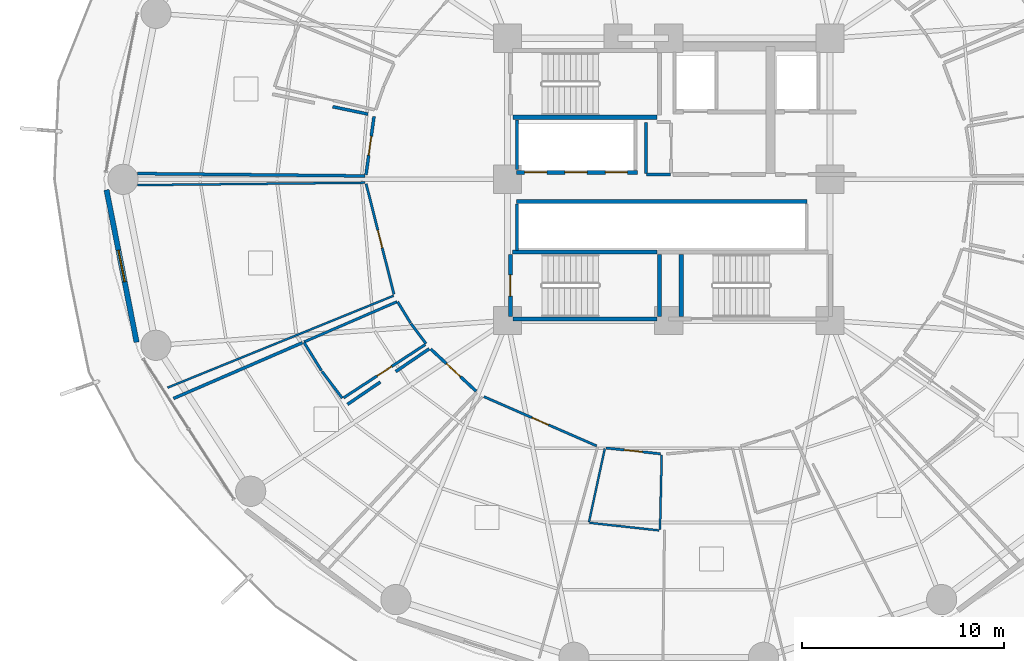
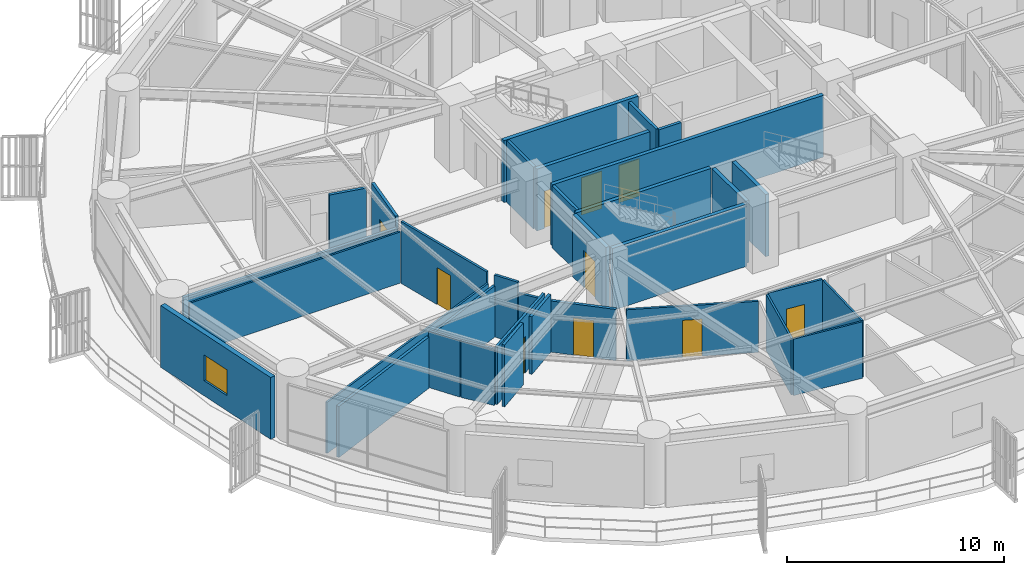
# One storey, part 24 of 34: 34 walls, 10 doors, 1 window, 11 openings.
"""IFC4 building model written with IfcOpenShell, lengths in metres."""

from ifc_helpers import new_model, si_unit, direction, frame, frame_2d, origin, place, context, subcontext, project, spatial, rectangle, extrude, material, layer, layer_set, type_object, element, fill, save


model = new_model("IFC4")

# Units and contexts
model_context = context("Model", 3, precision=1e-05, world=origin(), true_north=direction((0.0, 1.0)))
body_context = subcontext(model_context, "Body", "Model", "MODEL_VIEW")
ifc_project = project(units=[si_unit("LENGTHUNIT", "METRE"), si_unit("AREAUNIT", "SQUARE_METRE"), si_unit("VOLUMEUNIT", "CUBIC_METRE"), si_unit("PLANEANGLEUNIT", "RADIAN"), si_unit("MASSUNIT", "GRAM", prefix="KILO")], contexts=[model_context])

# Site, building, storey
site_placement = place(None, origin())
site = spatial("IfcSite", under=ifc_project, at=site_placement, CompositionType="ELEMENT")
building_placement = place(site_placement, origin())
building = spatial("IfcBuilding", under=site, at=building_placement, Name="Kelanora Arch Commons", CompositionType="ELEMENT")
storey_placement = place(building_placement, frame((0.0, 0.0, 30.0)))
storey = spatial("IfcBuildingStorey", under=building, at=storey_placement, Name="L07", CompositionType="ELEMENT", Elevation=30.0)

# Walls
ifc_material_1 = material(Name="Autoclaved aerated concrete blockwork with fire plaster", Category="masonry")
ifc_layer_1 = layer(ifc_material_1, 0.14990234375)
ifc_layer_set_1 = layer_set([ifc_layer_1], Name="Autoclaved aerated concrete blockwork with fire plaster")
wall_type_1 = type_object("IfcWallType", Name="W-COMP-150", PredefinedType="PARTITIONING", material=ifc_layer_set_1)
wall_1_placement = place(storey_placement, frame((66.4599609375, 58.47998046875, 0.0), z_axis=(0.0, 0.0, 1.0), x_axis=(0.0, 1.0, 0.0)))
element("IfcWall", 1, at=wall_1_placement, inside=storey, type_object=wall_type_1, Name="Low-Rise Lift Bank West Wall L07", PredefinedType="PARTITIONING", context=body_context, shape_type="SweptSolid", body=[
    extrude(rectangle(XDim=2.4599609375, YDim=0.14990234375, at=frame_2d((1.22998046875, 0.0))), origin(), (0.0, 0.0, 1.0), 3.47998046875),
])
wall_2_placement = place(storey_placement, frame((66.4599609375, 54.47998046875, 0.0), z_axis=(0.0, 0.0, 1.0), x_axis=(0.0, 1.0, 0.0)))
element("IfcWall", 2, at=wall_2_placement, inside=storey, type_object=wall_type_1, Name="South Lift Bank West Wall L07", PredefinedType="PARTITIONING", context=body_context, shape_type="SweptSolid", body=[
    extrude(rectangle(XDim=2.2900390625, YDim=0.14990234375, at=frame_2d((1.14501953125, 0.0))), origin(), (0.0, 0.0, 1.0), 3.47998046875),
])

# Wall, opening, door
wall_3_placement = place(storey_placement, frame((59.375, 61.114501953125, 0.0), z_axis=(0.0, 0.0, 1.0), x_axis=(-0.135838186105, -0.990731036758, 0.0)))
wall_3 = element("IfcWall", 3, at=wall_3_placement, inside=storey, type_object=wall_type_1, Name="Co-Living Studio L07-07 Entry Partition", PredefinedType="PARTITIONING", context=body_context, shape_type="SweptSolid", body=[
    extrude(rectangle(XDim=2.915283203125, YDim=0.14990234375, at=frame_2d((1.45751953125, 0.0))), origin(), (0.0, 0.0, 1.0), 3.47998046875),
])
opening_1_placement = place(wall_3_placement, frame((0.98291015625, 0.0, 0.0)))
opening_1 = element("IfcOpeningElement", 4, at=opening_1_placement, cuts=wall_3, Name="Opening D-CLU1", PredefinedType="OPENING", context=body_context, shape_type="SweptSolid", body=[
    extrude(rectangle(XDim=0.949951171875, YDim=2.080078125, at=frame_2d((0.47509765625, 1.0400390625))), frame((0.0, 0.0849609375, 0.0), z_axis=(0.0, -1.0, 0.0), x_axis=(1.0, 0.0, 0.0)), (0.0, 0.0, 1.0), 0.169921875),
])
ifc_material_2 = material(Name="Solid-core acoustic timber cluster entry fire door", Category="wood")
door_type_1 = type_object("IfcDoorType", Name="D-CLU-95", OperationType="NOTDEFINED", PredefinedType="DOOR", material=ifc_material_2)
door_1_placement = place(opening_1_placement, origin())
door_1 = element("IfcDoor", 5, at=door_1_placement, inside=storey, type_object=door_type_1, Name="Co-Living Studio L07-07 Door", OperationType="SINGLE_SWING_LEFT", OverallHeight=2.080078125, OverallWidth=0.949951171875, PredefinedType="DOOR", context=body_context, shape_type="SweptSolid", body=[
    extrude(rectangle(XDim=0.949951171875, YDim=2.080078125, at=frame_2d((0.47509765625, 1.0400390625))), frame((0.0, 0.02490234375, 0.0), z_axis=(0.0, -1.0, 0.0), x_axis=(1.0, 0.0, 0.0)), (0.0, 0.0, 1.0), 0.050048828125),
])
fill(opening_1, door_1)

wall_4_placement = place(storey_placement, frame((62.194091796875, 49.5751953125, 0.0), z_axis=(0.0, 0.0, 1.0), x_axis=(0.7329267348, -0.680307578538, 0.0)))
wall_4 = element("IfcWall", 6, at=wall_4_placement, inside=storey, type_object=wall_type_1, Name="Co-Living Studio L07-09 Entry Partition", PredefinedType="PARTITIONING", context=body_context, shape_type="SweptSolid", body=[
    extrude(rectangle(XDim=3.06689453125, YDim=0.14990234375, at=frame_2d((1.533447265625, 0.0))), origin(), (0.0, 0.0, 1.0), 2.875),
])
opening_2_placement = place(wall_4_placement, frame((1.05908203125, 0.0, 0.0)))
opening_2 = element("IfcOpeningElement", 7, at=opening_2_placement, cuts=wall_4, Name="Opening D-CLU1", PredefinedType="OPENING", context=body_context, shape_type="SweptSolid", body=[
    extrude(rectangle(XDim=0.949951171875, YDim=2.080078125, at=frame_2d((0.47509765625, 1.0400390625))), frame((0.0, 0.0849609375, 0.0), z_axis=(0.0, -1.0, 0.0), x_axis=(1.0, 0.0, 0.0)), (0.0, 0.0, 1.0), 0.169921875),
])
door_2_placement = place(opening_2_placement, origin())
door_2 = element("IfcDoor", 8, at=door_2_placement, inside=storey, type_object=door_type_1, Name="Co-Living Studio L07-09 Door", OperationType="SINGLE_SWING_RIGHT", OverallHeight=2.080078125, OverallWidth=0.949951171875, PredefinedType="DOOR", context=body_context, shape_type="SweptSolid", body=[
    extrude(rectangle(XDim=0.949951171875, YDim=2.080078125, at=frame_2d((0.47509765625, 1.0400390625))), frame((0.0, 0.02490234375, 0.0), z_axis=(0.0, -1.0, 0.0), x_axis=(1.0, 0.0, 0.0)), (0.0, 0.0, 1.0), 0.050048828125),
])
fill(opening_2, door_2)

# Walls
wall_5_placement = place(storey_placement, frame((72.89990234375, 58.25, 0.0), z_axis=(0.0, 0.0, 1.0), x_axis=(1.0, 0.0, 0.0)))
element("IfcWall", 9, at=wall_5_placement, inside=storey, type_object=wall_type_1, Name="Core Linen Supply Store L07 Enclosure Partition 1", PredefinedType="PARTITIONING", context=body_context, shape_type="SweptSolid", body=[
    extrude(rectangle(XDim=1.18017578125, YDim=0.14990234375, at=frame_2d((0.590087890625, 0.0))), origin(), (0.0, 0.0, 1.0), 3.47998046875),
])
wall_6_placement = place(storey_placement, frame((72.860107421875, 60.81005859375, 0.0), z_axis=(0.0, 0.0, 1.0), x_axis=(0.0, -1.0, 0.0)))
element("IfcWall", 10, at=wall_6_placement, inside=storey, type_object=wall_type_1, Name="Core Linen Supply Store L07 Enclosure Partition 4", PredefinedType="PARTITIONING", context=body_context, shape_type="SweptSolid", body=[
    extrude(rectangle(XDim=2.52001953125, YDim=0.14990234375, at=frame_2d((1.260009765625, 0.0))), origin(), (0.0, 0.0, 1.0), 3.47998046875),
])
wall_7_placement = place(storey_placement, frame((58.930908203125, 58.16748046875, 0.0), z_axis=(0.0, 0.0, 1.0), x_axis=(-0.999943877154, 0.010594458135, 0.0)))
element("IfcWall", 11, at=wall_7_placement, inside=storey, type_object=wall_type_1, Name="Co-Living Studio L07-07 Enclosure Partition 2", PredefinedType="PARTITIONING", context=body_context, shape_type="SweptSolid", body=[
    extrude(rectangle(XDim=11.291748046875, YDim=0.14990234375, at=frame_2d((5.64599609375, 0.0))), origin(), (0.0, 0.0, 1.0), 2.875),
])
wall_8_placement = place(storey_placement, frame((57.325439453125, 61.603271484375, 0.0), z_axis=(0.0, 0.0, 1.0), x_axis=(0.978929424395, -0.204198878681, 0.0)))
element("IfcWall", 12, at=wall_8_placement, inside=storey, type_object=wall_type_1, Name="Co-Living Studio L07-07 Enclosure Partition 7", PredefinedType="PARTITIONING", context=body_context, shape_type="SweptSolid", body=[
    extrude(rectangle(XDim=1.79345703125, YDim=0.14990234375, at=frame_2d((0.896728515625, 0.0))), origin(), (0.0, 0.0, 1.0), 3.235107421875),
])
wall_9_placement = place(storey_placement, frame((49.42578125, 47.1259765625, 0.0), z_axis=(0.0, 0.0, 1.0), x_axis=(0.917736225937, 0.397190407239, 0.0)))
element("IfcWall", 13, at=wall_9_placement, inside=storey, type_object=wall_type_1, Name="Co-Living Studio L07-09 Enclosure Partition 5", PredefinedType="PARTITIONING", context=body_context, shape_type="SweptSolid", body=[
    extrude(rectangle(XDim=6.966552734375, YDim=0.14990234375, at=frame_2d((3.4833984375, 0.0))), origin(), (0.0, 0.0, 1.0), 2.875),
])
wall_10_placement = place(storey_placement, frame((58.06103515625, 46.83447265625, 0.0), z_axis=(0.0, 0.0, 1.0), x_axis=(0.826811291248, 0.562479411769, 0.0)))
element("IfcWall", 14, at=wall_10_placement, inside=storey, type_object=wall_type_1, Name="Co-Living Studio L07-09 Enclosure Partition 7", PredefinedType="PARTITIONING", context=body_context, shape_type="SweptSolid", body=[
    extrude(rectangle(XDim=1.970947265625, YDim=0.14990234375, at=frame_2d((0.9853515625, 0.0))), origin(), (0.0, 0.0, 1.0), 3.47998046875),
])
wall_11_placement = place(storey_placement, frame((60.451416015625, 48.460693359375, 0.0), z_axis=(0.0, 0.0, 1.0), x_axis=(0.826867883695, 0.562396215237, 0.0)))
element("IfcWall", 15, at=wall_11_placement, inside=storey, type_object=wall_type_1, Name="Co-Living Studio L07-09 Enclosure Partition 7", PredefinedType="PARTITIONING", context=body_context, shape_type="SweptSolid", body=[
    extrude(rectangle(XDim=2.01416015625, YDim=0.14990234375, at=frame_2d((1.007080078125, 0.0))), origin(), (0.0, 0.0, 1.0), 3.235107421875),
])

# Wall, opening, window
ifc_material_3 = material(Name="Precast concrete C40/50 with terracotta rainscreen", Category="masonry")
ifc_layer_2 = layer(ifc_material_3, 0.260009765625)
ifc_layer_set_2 = layer_set([ifc_layer_2], Name="Precast concrete C40/50 with terracotta rainscreen")
wall_type_2 = type_object("IfcWallType", Name="W-EXT-TC", PredefinedType="SOLIDWALL", material=ifc_layer_set_2)
wall_12_placement = place(storey_placement, frame((46.103515625, 57.4765625, 0.0), z_axis=(0.0, 0.0, 1.0), x_axis=(0.193726159581, -0.98105564322, 0.0)))
wall_12 = element("IfcWall", 16, at=wall_12_placement, inside=storey, type_object=wall_type_2, Name="Terracotta Exterior Wall L07-B09", PredefinedType="SOLIDWALL", context=body_context, shape_type="SweptSolid", body=[
    extrude(rectangle(XDim=7.70263671875, YDim=0.260009765625, at=frame_2d((3.851318359375, 0.0))), origin(), (0.0, 0.0, 1.0), 3.47509765625),
])
opening_3_placement = place(wall_12_placement, frame((3.051025390625, 0.0, 0.85009765625)))
opening_3 = element("IfcOpeningElement", 17, at=opening_3_placement, cuts=wall_12, Name="Opening WN-01", PredefinedType="OPENING", context=body_context, shape_type="SweptSolid", body=[
    extrude(rectangle(XDim=1.60009765625, YDim=1.449951171875, at=frame_2d((0.800048828125, 0.72509765625))), frame((0.0, 0.14013671875, 0.0), z_axis=(0.0, -1.0, 0.0), x_axis=(1.0, 0.0, 0.0)), (0.0, 0.0, 1.0), 0.280029296875),
])
ifc_material_4 = material(Name="Terracotta-anodised aluminium frame with operable low-E glazing", Category="masonry")
window_type = type_object("IfcWindowType", Name="WIN-CL-18", PartitioningType="DOUBLE_PANEL_VERTICAL", PredefinedType="WINDOW", material=ifc_material_4)
window_placement = place(opening_3_placement, origin())
window = element("IfcWindow", 18, at=window_placement, inside=storey, type_object=window_type, Name="Co-Living Operable Window L07-B09", OverallHeight=1.449951171875, OverallWidth=1.60009765625, PartitioningType="SINGLE_PANEL", PredefinedType="WINDOW", context=body_context, shape_type="SweptSolid", body=[
    extrude(rectangle(XDim=1.60009765625, YDim=1.449951171875, at=frame_2d((0.800048828125, 0.72509765625))), frame((0.0, 0.030029296875, 0.0), z_axis=(0.0, -1.0, 0.0), x_axis=(1.0, 0.0, 0.0)), (0.0, 0.0, 1.0), 0.06005859375),
])
fill(opening_3, window)

# Wall, openings, doors
ifc_material_5 = material(Name="Concrete C40/50", Category="concrete")
ifc_layer_3 = layer(ifc_material_5, 0.199951171875)
ifc_layer_set_3 = layer_set([ifc_layer_3], Name="Concrete C40/50")
wall_type_3 = type_object("IfcWallType", Name="W-FFL-200", PredefinedType="SOLIDWALL", material=ifc_layer_set_3)
wall_13_placement = place(storey_placement, frame((66.449951171875, 58.35009765625, 0.0), z_axis=(0.0, 0.0, 1.0), x_axis=(1.0, 0.0, 0.0)))
wall_13 = element("IfcWall", 19, at=wall_13_placement, inside=storey, type_object=wall_type_3, Name="Low-Rise Passenger Lift Shaft Front L07", PredefinedType="SOLIDWALL", context=body_context, shape_type="SweptSolid", body=[
    extrude(rectangle(XDim=6.0, YDim=0.199951171875, at=frame_2d((3.0, 0.0))), origin(), (0.0, 0.0, 1.0), 3.47998046875),
])
opening_4_placement = place(wall_13_placement, frame((0.39990234375, 0.0, 0.0)))
opening_4 = element("IfcOpeningElement", 20, at=opening_4_placement, cuts=wall_13, Name="Opening LD-01", PredefinedType="OPENING", context=body_context, shape_type="SweptSolid", body=[
    extrude(rectangle(XDim=1.10009765625, YDim=2.10009765625, at=frame_2d((0.550048828125, 1.050048828125))), frame((0.0, 0.10986328125, 0.0), z_axis=(0.0, -1.0, 0.0), x_axis=(1.0, 0.0, 0.0)), (0.0, 0.0, 1.0), 0.219970703125),
])
opening_5_placement = place(wall_13_placement, frame((2.39990234375, 0.0, 0.0)))
opening_5 = element("IfcOpeningElement", 21, at=opening_5_placement, cuts=wall_13, Name="Opening LD-01", PredefinedType="OPENING", context=body_context, shape_type="SweptSolid", body=[
    extrude(rectangle(XDim=1.10009765625, YDim=2.10009765625, at=frame_2d((0.550048828125, 1.050048828125))), frame((0.0, 0.10986328125, 0.0), z_axis=(0.0, -1.0, 0.0), x_axis=(1.0, 0.0, 0.0)), (0.0, 0.0, 1.0), 0.219970703125),
])
opening_6_placement = place(wall_13_placement, frame((4.39990234375, 0.0, 0.0)))
opening_6 = element("IfcOpeningElement", 22, at=opening_6_placement, cuts=wall_13, Name="Opening LD-01", PredefinedType="OPENING", context=body_context, shape_type="SweptSolid", body=[
    extrude(rectangle(XDim=1.10009765625, YDim=2.10009765625, at=frame_2d((0.550048828125, 1.050048828125))), frame((0.0, 0.10986328125, 0.0), z_axis=(0.0, -1.0, 0.0), x_axis=(1.0, 0.0, 0.0)), (0.0, 0.0, 1.0), 0.219970703125),
])
ifc_material_6 = material(Name="Stainless steel passenger lift sliding landing door", Category="steel")
door_type_2 = type_object("IfcDoorType", Name="D-LIFT-110", OperationType="NOTDEFINED", PredefinedType="DOOR", material=ifc_material_6)
door_3_placement = place(opening_4_placement, origin())
door_3 = element("IfcDoor", 23, at=door_3_placement, inside=storey, type_object=door_type_2, Name="Passenger Lift LF-P1 Landing Door L07", OperationType="DOUBLE_DOOR_SLIDING", OverallHeight=2.10009765625, OverallWidth=1.10009765625, PredefinedType="DOOR", context=body_context, shape_type="SweptSolid", body=[
    extrude(rectangle(XDim=1.10009765625, YDim=2.10009765625, at=frame_2d((0.550048828125, 1.050048828125))), frame((0.0, 0.02490234375, 0.0), z_axis=(0.0, -1.0, 0.0), x_axis=(1.0, 0.0, 0.0)), (0.0, 0.0, 1.0), 0.050048828125),
])
fill(opening_4, door_3)
door_4_placement = place(opening_5_placement, origin())
door_4 = element("IfcDoor", 24, at=door_4_placement, inside=storey, type_object=door_type_2, Name="Passenger Lift LF-P2 Landing Door L07", OperationType="DOUBLE_DOOR_SLIDING", OverallHeight=2.10009765625, OverallWidth=1.10009765625, PredefinedType="DOOR", context=body_context, shape_type="SweptSolid", body=[
    extrude(rectangle(XDim=1.10009765625, YDim=2.10009765625, at=frame_2d((0.550048828125, 1.050048828125))), frame((0.0, 0.02490234375, 0.0), z_axis=(0.0, -1.0, 0.0), x_axis=(1.0, 0.0, 0.0)), (0.0, 0.0, 1.0), 0.050048828125),
])
fill(opening_5, door_4)
door_5_placement = place(opening_6_placement, origin())
door_5 = element("IfcDoor", 25, at=door_5_placement, inside=storey, type_object=door_type_2, Name="Passenger Lift LF-P3 Landing Door L07", OperationType="DOUBLE_DOOR_SLIDING", OverallHeight=2.10009765625, OverallWidth=1.10009765625, PredefinedType="DOOR", context=body_context, shape_type="SweptSolid", body=[
    extrude(rectangle(XDim=1.10009765625, YDim=2.10009765625, at=frame_2d((0.550048828125, 1.050048828125))), frame((0.0, 0.02490234375, 0.0), z_axis=(0.0, -1.0, 0.0), x_axis=(1.0, 0.0, 0.0)), (0.0, 0.0, 1.0), 0.050048828125),
])
fill(opening_6, door_5)

# Walls
wall_14_placement = place(storey_placement, frame((66.449951171875, 56.89990234375, 0.0), z_axis=(0.0, 0.0, 1.0), x_axis=(1.0, 0.0, 0.0)))
element("IfcWall", 26, at=wall_14_placement, inside=storey, type_object=wall_type_3, Name="Mid/High/Express Lift Shaft Front L07", PredefinedType="SOLIDWALL", context=body_context, shape_type="SweptSolid", body=[
    extrude(rectangle(XDim=14.400146484375, YDim=0.199951171875, at=frame_2d((7.2001953125, 0.0))), origin(), (0.0, 0.0, 1.0), 3.47998046875),
])
ifc_material_7 = material(Name="Lightweight fire-rated acoustic stud partition")
ifc_layer_4 = layer(ifc_material_7, 0.10009765625)
ifc_layer_set_4 = layer_set([ifc_layer_4], Name="Lightweight fire-rated acoustic stud partition")
wall_type_4 = type_object("IfcWallType", Name="W-PART-100", PredefinedType="PARTITIONING", material=ifc_layer_set_4)
wall_15_placement = place(storey_placement, frame((60.343017578125, 52.221923828125, 0.0), z_axis=(0.0, 0.0, 1.0), x_axis=(-0.926333713065, -0.376703931542, 0.0)))
element("IfcWall", 27, at=wall_15_placement, inside=storey, type_object=wall_type_4, Name="Social Sky Lounge L07-08 Enclosure Partition 2", PredefinedType="PARTITIONING", context=body_context, shape_type="SweptSolid", body=[
    extrude(rectangle(XDim=12.099365234375, YDim=0.10009765625, at=frame_2d((6.0498046875, 0.0))), origin(), (0.0, 0.0, 1.0), 2.875),
])
wall_16_placement = place(storey_placement, frame((47.639892578125, 57.712890625, 0.0), z_axis=(0.0, 0.0, 1.0), x_axis=(0.999943877154, 0.010594458135, 0.0)))
element("IfcWall", 28, at=wall_16_placement, inside=storey, type_object=wall_type_4, Name="Social Sky Lounge L07-08 Enclosure Partition 4", PredefinedType="PARTITIONING", context=body_context, shape_type="SweptSolid", body=[
    extrude(rectangle(XDim=11.291748046875, YDim=0.10009765625, at=frame_2d((5.64599609375, 0.0))), origin(), (0.0, 0.0, 1.0), 2.875),
])
wall_17_placement = place(storey_placement, frame((73.652099609375, 44.333984375, 0.0), z_axis=(0.0, 0.0, 1.0), x_axis=(-0.02316715399, -0.99973160547, 0.0)))
element("IfcWall", 29, at=wall_17_placement, inside=storey, type_object=wall_type_4, Name="Student Laundry Room L07-11 Enclosure Partition 2", PredefinedType="PARTITIONING", context=body_context, shape_type="SweptSolid", body=[
    extrude(rectangle(XDim=3.719970703125, YDim=0.10009765625, at=frame_2d((1.85986328125, 0.0))), origin(), (0.0, 0.0, 1.0), 3.175048828125),
])
wall_18_placement = place(storey_placement, frame((73.525146484375, 40.579345703125, 0.0), z_axis=(0.0, 0.0, 1.0), x_axis=(-0.994070147468, 0.108740709544, 0.0)))
element("IfcWall", 30, at=wall_18_placement, inside=storey, type_object=wall_type_4, Name="Student Laundry Room L07-11 Enclosure Partition 3", PredefinedType="PARTITIONING", context=body_context, shape_type="SweptSolid", body=[
    extrude(rectangle(XDim=3.470947265625, YDim=0.10009765625, at=frame_2d((1.7353515625, 0.0))), origin(), (0.0, 0.0, 1.0), 3.175048828125),
])
wall_19_placement = place(storey_placement, frame((70.04345703125, 41.0, 0.0), z_axis=(0.0, 0.0, 1.0), x_axis=(0.210519412271, 0.977589677246, 0.0)))
element("IfcWall", 31, at=wall_19_placement, inside=storey, type_object=wall_type_4, Name="Student Laundry Room L07-11 Enclosure Partition 4", PredefinedType="PARTITIONING", context=body_context, shape_type="SweptSolid", body=[
    extrude(rectangle(XDim=3.72021484375, YDim=0.10009765625, at=frame_2d((1.860107421875, 0.0))), origin(), (0.0, 0.0, 1.0), 3.175048828125),
])

# Wall, opening, door
ifc_material_8 = material(Name="Acoustic twin-stud fire-rated gypsum partition")
ifc_layer_5 = layer(ifc_material_8, 0.1201171875)
ifc_layer_set_5 = layer_set([ifc_layer_5], Name="Acoustic twin-stud fire-rated gypsum partition")
wall_type_5 = type_object("IfcWallType", Name="W-PART-120", PredefinedType="PARTITIONING", material=ifc_layer_set_5)
wall_20_placement = place(storey_placement, frame((58.985595703125, 57.77490234375, 0.0), z_axis=(0.0, 0.0, 1.0), x_axis=(0.244192294026, -0.969726829338, 0.0)))
wall_20 = element("IfcWall", 32, at=wall_20_placement, inside=storey, type_object=wall_type_5, Name="Social Sky Lounge L07-08 Entry Partition", PredefinedType="PARTITIONING", context=body_context, shape_type="SweptSolid", body=[
    extrude(rectangle(XDim=5.65087890625, YDim=0.1201171875, at=frame_2d((2.825439453125, 0.0))), origin(), (0.0, 0.0, 1.0), 3.47998046875),
])
opening_7_placement = place(wall_20_placement, frame((2.375, 0.0, 0.0)))
opening_7 = element("IfcOpeningElement", 33, at=opening_7_placement, cuts=wall_20, Name="Opening D-RM1", PredefinedType="OPENING", context=body_context, shape_type="SweptSolid", body=[
    extrude(rectangle(XDim=0.89990234375, YDim=2.080078125, at=frame_2d((0.449951171875, 1.0400390625))), frame((0.0, 0.070068359375, 0.0), z_axis=(0.0, -1.0, 0.0), x_axis=(1.0, 0.0, 0.0)), (0.0, 0.0, 1.0), 0.14013671875),
])
ifc_material_9 = material(Name="Acoustic fire-rated timber study and lounge door", Category="wood")
door_type_3 = type_object("IfcDoorType", Name="D-ROOM-90", OperationType="NOTDEFINED", PredefinedType="DOOR", material=ifc_material_9)
door_6_placement = place(opening_7_placement, origin())
door_6 = element("IfcDoor", 34, at=door_6_placement, inside=storey, type_object=door_type_3, Name="Social Sky Lounge L07-08 Door", OperationType="SINGLE_SWING_RIGHT", OverallHeight=2.080078125, OverallWidth=0.89990234375, PredefinedType="DOOR", context=body_context, shape_type="SweptSolid", body=[
    extrude(rectangle(XDim=0.89990234375, YDim=2.080078125, at=frame_2d((0.449951171875, 1.0400390625))), frame((0.0, 0.02490234375, 0.0), z_axis=(0.0, -1.0, 0.0), x_axis=(1.0, 0.0, 0.0)), (0.0, 0.0, 1.0), 0.050048828125),
])
fill(opening_7, door_6)

wall_21_placement = place(storey_placement, frame((64.827880859375, 47.217041015625, 0.0), z_axis=(0.0, 0.0, 1.0), x_axis=(0.916419655578, -0.400218708797, 0.0)))
wall_21 = element("IfcWall", 35, at=wall_21_placement, inside=storey, type_object=wall_type_5, Name="Quiet Seminar Study Room L07-10 Entry Partition", PredefinedType="PARTITIONING", context=body_context, shape_type="SweptSolid", body=[
    extrude(rectangle(XDim=6.1044921875, YDim=0.1201171875, at=frame_2d((3.05224609375, 0.0))), origin(), (0.0, 0.0, 1.0), 2.875),
])
opening_8_placement = place(wall_21_placement, frame((2.60205078125, 0.0, 0.0)))
opening_8 = element("IfcOpeningElement", 36, at=opening_8_placement, cuts=wall_21, Name="Opening D-RM1", PredefinedType="OPENING", context=body_context, shape_type="SweptSolid", body=[
    extrude(rectangle(XDim=0.89990234375, YDim=2.080078125, at=frame_2d((0.449951171875, 1.0400390625))), frame((0.0, 0.070068359375, 0.0), z_axis=(0.0, -1.0, 0.0), x_axis=(1.0, 0.0, 0.0)), (0.0, 0.0, 1.0), 0.14013671875),
])
door_7_placement = place(opening_8_placement, origin())
door_7 = element("IfcDoor", 37, at=door_7_placement, inside=storey, type_object=door_type_3, Name="Quiet Seminar Study Room L07-10 Door", OperationType="SINGLE_SWING_LEFT", OverallHeight=2.080078125, OverallWidth=0.89990234375, PredefinedType="DOOR", context=body_context, shape_type="SweptSolid", body=[
    extrude(rectangle(XDim=0.89990234375, YDim=2.080078125, at=frame_2d((0.449951171875, 1.0400390625))), frame((0.0, 0.02490234375, 0.0), z_axis=(0.0, -1.0, 0.0), x_axis=(1.0, 0.0, 0.0)), (0.0, 0.0, 1.0), 0.050048828125),
])
fill(opening_8, door_7)

wall_22_placement = place(storey_placement, frame((70.894775390625, 44.669677734375, 0.0), z_axis=(0.0, 0.0, 1.0), x_axis=(0.994302004983, -0.106599825921, 0.0)))
wall_22 = element("IfcWall", 38, at=wall_22_placement, inside=storey, type_object=wall_type_5, Name="Student Laundry Room L07-11 Entry Partition", PredefinedType="PARTITIONING", context=body_context, shape_type="SweptSolid", body=[
    extrude(rectangle(XDim=2.7138671875, YDim=0.1201171875, at=frame_2d((1.35693359375, 0.0))), origin(), (0.0, 0.0, 1.0), 3.235107421875),
])
opening_9_placement = place(wall_22_placement, frame((0.906982421875, 0.0, 0.0)))
opening_9 = element("IfcOpeningElement", 39, at=opening_9_placement, cuts=wall_22, Name="Opening D-RM1", PredefinedType="OPENING", context=body_context, shape_type="SweptSolid", body=[
    extrude(rectangle(XDim=0.89990234375, YDim=2.080078125, at=frame_2d((0.449951171875, 1.0400390625))), frame((0.0, 0.070068359375, 0.0), z_axis=(0.0, -1.0, 0.0), x_axis=(1.0, 0.0, 0.0)), (0.0, 0.0, 1.0), 0.14013671875),
])
door_8_placement = place(opening_9_placement, origin())
door_8 = element("IfcDoor", 40, at=door_8_placement, inside=storey, type_object=door_type_3, Name="Student Laundry Room L07-11 Door", OperationType="SINGLE_SWING_RIGHT", OverallHeight=2.080078125, OverallWidth=0.89990234375, PredefinedType="DOOR", context=body_context, shape_type="SweptSolid", body=[
    extrude(rectangle(XDim=0.89990234375, YDim=2.080078125, at=frame_2d((0.449951171875, 1.0400390625))), frame((0.0, 0.02490234375, 0.0), z_axis=(0.0, -1.0, 0.0), x_axis=(1.0, 0.0, 0.0)), (0.0, 0.0, 1.0), 0.050048828125),
])
fill(opening_9, door_8)

# Walls
ifc_layer_6 = layer(ifc_material_5, 0.199951171875)
ifc_layer_set_6 = layer_set([ifc_layer_6], Name="Concrete C40/50")
wall_type_6 = type_object("IfcWallType", Name="W-STAIR-200", PredefinedType="SHEAR", material=ifc_layer_set_6)
wall_23_placement = place(storey_placement, frame((66.260009765625, 61.080078125, 0.0), z_axis=(0.0, 0.0, 1.0), x_axis=(1.0, 0.0, 0.0)))
element("IfcWall", 41, at=wall_23_placement, inside=storey, type_object=wall_type_6, Name="Stair ST-T1 Shaft Wall S L07", PredefinedType="SHEAR", context=body_context, shape_type="SweptSolid", body=[
    extrude(rectangle(XDim=7.159912109375, YDim=0.199951171875, at=frame_2d((3.580078125, 0.0))), origin(), (0.0, 0.0, 1.0), 3.489990234375),
])
wall_24_placement = place(storey_placement, frame((74.6201171875, 54.27001953125, 0.0), z_axis=(0.0, 0.0, 1.0), x_axis=(0.0, -1.0, 0.0)))
element("IfcWall", 42, at=wall_24_placement, inside=storey, type_object=wall_type_6, Name="Stair ST-T2 Shaft Wall W L07", PredefinedType="SHEAR", context=body_context, shape_type="SweptSolid", body=[
    extrude(rectangle(XDim=3.070068359375, YDim=0.199951171875, at=frame_2d((1.53515625, 0.0))), origin(), (0.0, 0.0, 1.0), 3.489990234375),
])
wall_25_placement = place(storey_placement, frame((66.260009765625, 51.080078125, 0.0), z_axis=(0.0, 0.0, 1.0), x_axis=(1.0, 0.0, 0.0)))
element("IfcWall", 43, at=wall_25_placement, inside=storey, type_object=wall_type_6, Name="Stair ST-T3 Shaft Wall S L07", PredefinedType="SHEAR", context=body_context, shape_type="SweptSolid", body=[
    extrude(rectangle(XDim=7.159912109375, YDim=0.199951171875, at=frame_2d((3.580078125, 0.0))), origin(), (0.0, 0.0, 1.0), 3.489990234375),
])
wall_26_placement = place(storey_placement, frame((73.5400390625, 51.199951171875, 0.0), z_axis=(0.0, 0.0, 1.0), x_axis=(0.0, 1.0, 0.0)))
element("IfcWall", 44, at=wall_26_placement, inside=storey, type_object=wall_type_6, Name="Stair ST-T3 Shaft Wall E L07", PredefinedType="SHEAR", context=body_context, shape_type="SweptSolid", body=[
    extrude(rectangle(XDim=3.070068359375, YDim=0.199951171875, at=frame_2d((1.53515625, 0.0))), origin(), (0.0, 0.0, 1.0), 3.489990234375),
])
wall_27_placement = place(storey_placement, frame((73.419921875, 54.389892578125, 0.0), z_axis=(0.0, 0.0, 1.0), x_axis=(-1.0, 0.0, 0.0)))
element("IfcWall", 45, at=wall_27_placement, inside=storey, type_object=wall_type_6, Name="Stair ST-T3 Shaft Wall N L07", PredefinedType="SHEAR", context=body_context, shape_type="SweptSolid", body=[
    extrude(rectangle(XDim=7.159912109375, YDim=0.199951171875, at=frame_2d((3.580078125, 0.0))), origin(), (0.0, 0.0, 1.0), 3.489990234375),
])

# Wall, opening, door
wall_28_placement = place(storey_placement, frame((66.139892578125, 54.27001953125, 0.0), z_axis=(0.0, 0.0, 1.0), x_axis=(0.0, -1.0, 0.0)))
wall_28 = element("IfcWall", 46, at=wall_28_placement, inside=storey, type_object=wall_type_6, Name="Stair ST-T3 Shaft Wall W L07", PredefinedType="SHEAR", context=body_context, shape_type="SweptSolid", body=[
    extrude(rectangle(XDim=3.070068359375, YDim=0.199951171875, at=frame_2d((1.53515625, 0.0))), origin(), (0.0, 0.0, 1.0), 3.489990234375),
])
opening_10_placement = place(wall_28_placement, frame((1.010009765625, 0.0, 0.0)))
opening_10 = element("IfcOpeningElement", 47, at=opening_10_placement, cuts=wall_28, Name="Opening D-ST1", PredefinedType="OPENING", context=body_context, shape_type="SweptSolid", body=[
    extrude(rectangle(XDim=1.050048828125, YDim=2.10009765625, at=frame_2d((0.52490234375, 1.050048828125))), frame((0.0, 0.10986328125, 0.0), z_axis=(0.0, -1.0, 0.0), x_axis=(1.0, 0.0, 0.0)), (0.0, 0.0, 1.0), 0.219970703125),
])
ifc_material_10 = material(Name="Steel fire-rated stairwell escape door", Category="steel")
door_type_4 = type_object("IfcDoorType", Name="D-STAIR-110", OperationType="NOTDEFINED", PredefinedType="DOOR", material=ifc_material_10)
door_9_placement = place(opening_10_placement, origin())
door_9 = element("IfcDoor", 48, at=door_9_placement, inside=storey, type_object=door_type_4, Name="Stair ST-T3 Escape Door L07", OperationType="SINGLE_SWING_LEFT", OverallHeight=2.10009765625, OverallWidth=1.050048828125, PredefinedType="DOOR", context=body_context, shape_type="SweptSolid", body=[
    extrude(rectangle(XDim=1.050048828125, YDim=2.10009765625, at=frame_2d((0.52490234375, 1.050048828125))), frame((0.0, 0.02490234375, 0.0), z_axis=(0.0, -1.0, 0.0), x_axis=(1.0, 0.0, 0.0)), (0.0, 0.0, 1.0), 0.050048828125),
])
fill(opening_10, door_9)

ifc_material_11 = material(Name="Moisture-resistant fire-rated cement-board plumbing wall")
ifc_layer_7 = layer(ifc_material_11, 0.1298828125)
ifc_layer_set_7 = layer_set([ifc_layer_7], Name="Moisture-resistant fire-rated cement-board plumbing wall")
wall_type_7 = type_object("IfcWallType", Name="W-WET-120", PredefinedType="PLUMBINGWALL", material=ifc_layer_set_7)
wall_29_placement = place(storey_placement, frame((61.916748046875, 49.80029296875, 0.0), z_axis=(0.0, 0.0, 1.0), x_axis=(-0.837796261941, -0.545982988267, 0.0)))
wall_29 = element("IfcWall", 49, at=wall_29_placement, inside=storey, type_object=wall_type_7, Name="En-Suite Shower WC L07-09 Entry Partition", PredefinedType="PLUMBINGWALL", context=body_context, shape_type="SweptSolid", body=[
    extrude(rectangle(XDim=4.838134765625, YDim=0.1298828125, at=frame_2d((2.4189453125, 0.0))), origin(), (0.0, 0.0, 1.0), 3.235107421875),
])
opening_11_placement = place(wall_29_placement, frame((1.989013671875, 0.0, 0.0)))
opening_11 = element("IfcOpeningElement", 50, at=opening_11_placement, cuts=wall_29, Name="Opening D-BT1", PredefinedType="OPENING", context=body_context, shape_type="SweptSolid", body=[
    extrude(rectangle(XDim=0.860107421875, YDim=2.050048828125, at=frame_2d((0.43017578125, 1.02490234375))), frame((0.0, 0.074951171875, 0.0), z_axis=(0.0, -1.0, 0.0), x_axis=(1.0, 0.0, 0.0)), (0.0, 0.0, 1.0), 0.14990234375),
])
ifc_material_12 = material(Name="Moisture-sealed fire-rated accessible bathroom door")
door_type_5 = type_object("IfcDoorType", Name="D-BATH-85", OperationType="NOTDEFINED", PredefinedType="DOOR", material=ifc_material_12)
door_10_placement = place(opening_11_placement, origin())
door_10 = element("IfcDoor", 51, at=door_10_placement, inside=storey, type_object=door_type_5, Name="En-Suite Shower WC L07-09 Door", OperationType="SINGLE_SWING_LEFT", OverallHeight=2.050048828125, OverallWidth=0.860107421875, PredefinedType="DOOR", context=body_context, shape_type="SweptSolid", body=[
    extrude(rectangle(XDim=0.860107421875, YDim=2.050048828125, at=frame_2d((0.43017578125, 1.02490234375))), frame((0.0, 0.02490234375, 0.0), z_axis=(0.0, -1.0, 0.0), x_axis=(1.0, 0.0, 0.0)), (0.0, 0.0, 1.0), 0.050048828125),
])
fill(opening_11, door_10)

# Walls
wall_30_placement = place(storey_placement, frame((60.54931640625, 51.919921875, 0.0), z_axis=(0.0, 0.0, 1.0), x_axis=(0.52146609248, -0.853272004928, 0.0)))
element("IfcWall", 52, at=wall_30_placement, inside=storey, type_object=wall_type_7, Name="En-Suite Shower WC L07-09 Enclosure Partition 1", PredefinedType="PLUMBINGWALL", context=body_context, shape_type="SweptSolid", body=[
    extrude(rectangle(XDim=1.22802734375, YDim=0.1298828125, at=frame_2d((0.614013671875, 0.0))), origin(), (0.0, 0.0, 1.0), 3.47998046875),
])
wall_31_placement = place(storey_placement, frame((61.2119140625, 50.839111328125, 0.0), z_axis=(0.0, 0.0, 1.0), x_axis=(0.600347056143, -0.79973959023, 0.0)))
element("IfcWall", 53, at=wall_31_placement, inside=storey, type_object=wall_type_7, Name="En-Suite Shower WC L07-09 Enclosure Partition 2", PredefinedType="PLUMBINGWALL", context=body_context, shape_type="SweptSolid", body=[
    extrude(rectangle(XDim=1.23779296875, YDim=0.1298828125, at=frame_2d((0.618896484375, 0.0))), origin(), (0.0, 0.0, 1.0), 2.875),
])
wall_32_placement = place(storey_placement, frame((57.80078125, 47.141845703125, 0.0), z_axis=(0.0, 0.0, 1.0), x_axis=(-0.60376191721, 0.797164692725, 0.0)))
element("IfcWall", 54, at=wall_32_placement, inside=storey, type_object=wall_type_7, Name="En-Suite Shower WC L07-09 Enclosure Partition 4", PredefinedType="PLUMBINGWALL", context=body_context, shape_type="SweptSolid", body=[
    extrude(rectangle(XDim=1.668701171875, YDim=0.1298828125, at=frame_2d((0.83447265625, 0.0))), origin(), (0.0, 0.0, 1.0), 3.175048828125),
])
wall_33_placement = place(storey_placement, frame((56.7705078125, 48.5048828125, 0.0), z_axis=(0.0, 0.0, 1.0), x_axis=(-0.525540089642, 0.850768837099, 0.0)))
element("IfcWall", 55, at=wall_33_placement, inside=storey, type_object=wall_type_7, Name="En-Suite Shower WC L07-09 Enclosure Partition 5", PredefinedType="PLUMBINGWALL", context=body_context, shape_type="SweptSolid", body=[
    extrude(rectangle(XDim=1.6513671875, YDim=0.1298828125, at=frame_2d((0.82568359375, 0.0))), origin(), (0.0, 0.0, 1.0), 3.175048828125),
])
wall_34_placement = place(storey_placement, frame((55.910400390625, 49.934814453125, 0.0), z_axis=(0.0, 0.0, 1.0), x_axis=(0.917797204715, 0.397049481826, 0.0)))
element("IfcWall", 56, at=wall_34_placement, inside=storey, type_object=wall_type_7, Name="En-Suite Shower WC L07-09 Enclosure Partition 6", PredefinedType="PLUMBINGWALL", context=body_context, shape_type="SweptSolid", body=[
    extrude(rectangle(XDim=5.02294921875, YDim=0.1298828125, at=frame_2d((2.511474609375, 0.0))), origin(), (0.0, 0.0, 1.0), 2.875),
])

save(model, "model.ifc")
